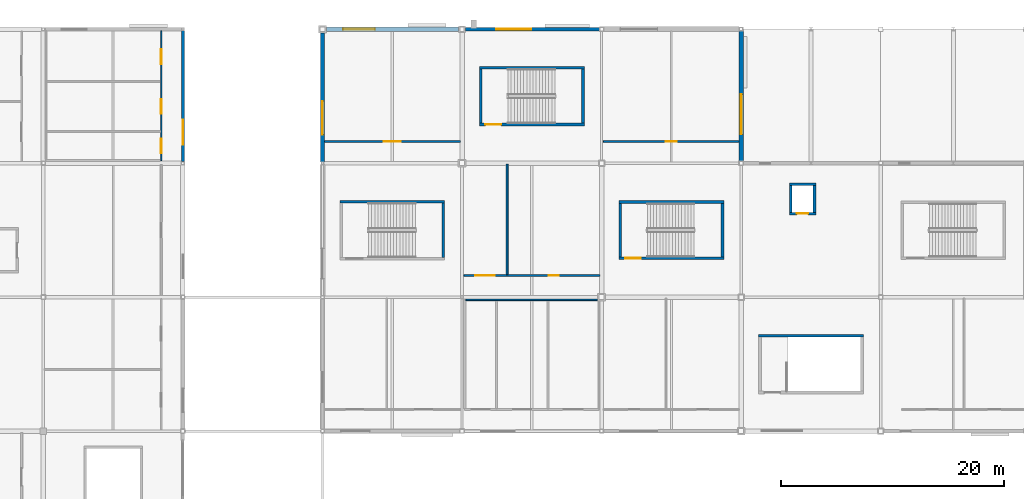
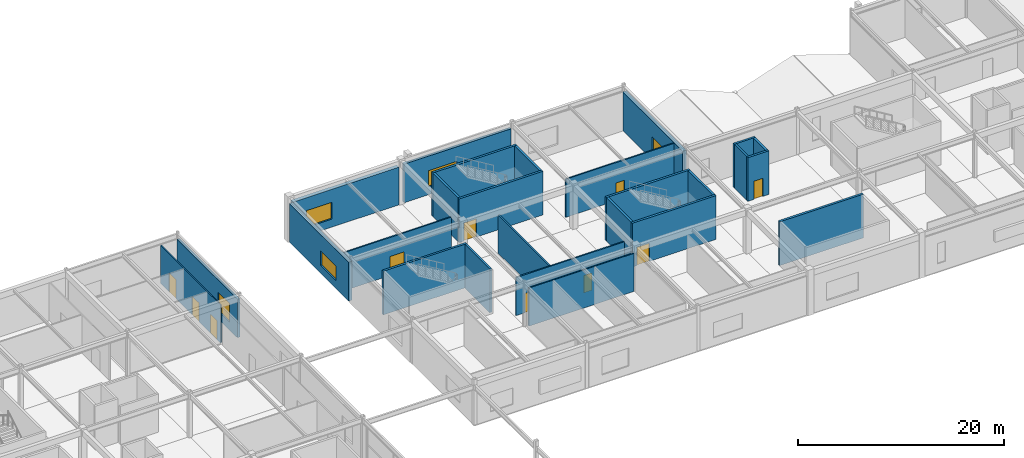
# One storey, part 81 of 105: 26 walls, 10 doors, 5 windows, 15 openings.
"""IFC4 building model written with IfcOpenShell, lengths in metres."""

import ifcopenshell
import ifcopenshell.guid

model = None  # the IFC model being written
_history = None  # IfcOwnerHistory: only IFC2X3 demands one
_inside = {}  # id of a spatial element -> (the spatial element, [elements in it])
_under = {}  # id of a project, library or spatial element -> (it, [spatial elements below it])
_declared = {}  # id of a project -> (the project, [libraries it declares])
_typed = {}  # id of a type object -> (the type object, [elements of that type])
_made_of = {}  # id of a material, layer set ... -> (it, [elements and type objects made of it])


def new_model(schema):
    """Start an empty IFC model of exactly this schema.

    Asked for "IFC4X3", IfcOpenShell would pick the latest addendum, in which some entities
    have other attributes; the version numbers below select the first issue.
    IFC2X3 requires an IfcOwnerHistory on every rooted entity: one is made here for all.
    """
    global model, _history
    if schema == "IFC4X3":
        model = ifcopenshell.file(schema_version=(4, 3, 0, 0))
    else:
        model = ifcopenshell.file(schema=schema)
    _inside.clear()
    _under.clear()
    _declared.clear()
    _typed.clear()
    _made_of.clear()
    _history = None
    if model.schema == "IFC2X3":
        org = make("IfcOrganization", Name="unknown")
        user = make(
            "IfcPersonAndOrganization",
            ThePerson=make("IfcPerson", FamilyName="unknown"),
            TheOrganization=org,
        )
        app = make(
            "IfcApplication",
            ApplicationDeveloper=org,
            Version="unknown",
            ApplicationFullName="unknown",
            ApplicationIdentifier="unknown",
        )
        _history = make(
            "IfcOwnerHistory",
            OwningUser=user,
            OwningApplication=app,
            ChangeAction="ADDED",
            CreationDate=0,
        )
    return model


def make(cls, **values):
    """One entity of the class cls with the attributes given. An attribute that is None is left unset."""
    return model.create_entity(
        cls, **{name: value for name, value in values.items() if value is not None}
    )


def rooted(cls, **values):
    """An entity with a GlobalId (a new one), such as an element, a storey or a relation."""
    return make(cls, GlobalId=ifcopenshell.guid.new(), OwnerHistory=_history, **values)


def si_unit(unit_type, name, prefix=None):
    """IfcSIUnit, for example si_unit("LENGTHUNIT", "METRE", prefix="MILLI")."""
    return make("IfcSIUnit", UnitType=unit_type, Prefix=prefix, Name=name)


def assignment(units):
    """IfcUnitAssignment: the units of a project."""
    return None if units is None else make("IfcUnitAssignment", Units=units)


def point(xyz):
    """IfcCartesianPoint."""
    return None if xyz is None else make("IfcCartesianPoint", Coordinates=xyz)


def direction(xyz):
    """IfcDirection."""
    return None if xyz is None else make("IfcDirection", DirectionRatios=xyz)


def frame(location, z_axis=None, x_axis=None):
    """IfcAxis2Placement3D, a coordinate frame: its origin and axes. An axis left out is left unset."""
    return make(
        "IfcAxis2Placement3D",
        Location=point(location),
        Axis=direction(z_axis),
        RefDirection=direction(x_axis),
    )


def frame_2d(location, x_axis=None):
    """IfcAxis2Placement2D, a coordinate frame in the plane: its origin and x axis."""
    return make(
        "IfcAxis2Placement2D", Location=point(location), RefDirection=direction(x_axis)
    )


def origin():
    """The frame at (0, 0, 0) with its axes left unset."""
    return frame((0.0, 0.0, 0.0))


def place(relative_to, where):
    """IfcLocalPlacement: puts the frame where relative to a parent placement (None: the world)."""
    return make(
        "IfcLocalPlacement", PlacementRelTo=relative_to, RelativePlacement=where
    )


def context(
    kind, dimensions, precision=None, world=None, true_north=None, identifier=None
):
    """IfcGeometricRepresentationContext, for example the 3D "Model" context."""
    return make(
        "IfcGeometricRepresentationContext",
        ContextIdentifier=identifier,
        ContextType=kind,
        CoordinateSpaceDimension=dimensions,
        Precision=precision,
        WorldCoordinateSystem=world,
        TrueNorth=true_north,
    )


def subcontext(parent, identifier, kind, view, scale=None):
    """IfcGeometricRepresentationSubContext, for example "Body" below "Model"."""
    return make(
        "IfcGeometricRepresentationSubContext",
        ContextIdentifier=identifier,
        ContextType=kind,
        ParentContext=parent,
        TargetScale=scale,
        TargetView=view,
    )


def project(units=None, contexts=None):
    """IfcProject with its units and contexts."""
    return rooted(
        "IfcProject",
        Name="project",
        RepresentationContexts=contexts,
        UnitsInContext=assignment(units),
    )


def spatial(cls, under=None, at=None, **own):
    """A site, building, storey or space (cls), placed at a placement, below another one or the project."""
    s = rooted(cls, ObjectPlacement=at, **own)
    if under is not None:
        _under.setdefault(under.id(), (under, []))[1].append(s)
    return s


def profile(cls, at=None, kind="AREA", **sizes):
    """A parametric profile (cls). Its sizes go by their IFC names, for example OverallWidth=200.0."""
    return make(cls, ProfileType=kind, Position=at, **sizes)


def rectangle(**sizes):
    """IfcRectangleProfileDef."""
    return profile("IfcRectangleProfileDef", **sizes)


def extrude(swept, where, along, depth):
    """IfcExtrudedAreaSolid: the profile swept, set in the frame where, extruded along a direction by depth."""
    return make(
        "IfcExtrudedAreaSolid",
        SweptArea=swept,
        Position=where,
        ExtrudedDirection=direction(along),
        Depth=depth,
    )


def shape(context_of_items, identifier, shape_type, items):
    """IfcShapeRepresentation: the items that make up one representation, for example the "Body"."""
    return make(
        "IfcShapeRepresentation",
        ContextOfItems=context_of_items,
        RepresentationIdentifier=identifier,
        RepresentationType=shape_type,
        Items=items,
    )


def material(Name=None, Category=None):
    """IfcMaterial."""
    return make("IfcMaterial", Name=Name, Category=Category)


def layer(
    of_material, thickness, ventilated=None, Name=None, Category=None, Priority=None
):
    """IfcMaterialLayer: one layer of a wall or slab, of a material (None: an air gap)."""
    return make(
        "IfcMaterialLayer",
        Material=of_material,
        LayerThickness=thickness,
        IsVentilated=ventilated,
        Name=Name,
        Category=Category,
        Priority=Priority,
    )


def layer_set(layers, Name=None):
    """IfcMaterialLayerSet."""
    return make("IfcMaterialLayerSet", MaterialLayers=layers, LayerSetName=Name)


def made_of(thing, what):
    """Note that an element or type object is made of a material, layer set ...; save() writes the relation."""
    if what is not None:
        _made_of.setdefault(what.id(), (what, []))[1].append(thing)
    return thing


def type_object(cls, material=None, **own):
    """A type object (cls), such as IfcWallType, which elements share."""
    return made_of(rooted(cls, **own), material)


def element(
    cls,
    number,
    at=None,
    inside=None,
    cuts=None,
    type_object=None,
    material=None,
    context=None,
    identifier="Body",
    shape_type=None,
    held_by="IfcProductDefinitionShape",
    body=None,
    shapes=None,
    **own,
):
    """One element of the class cls, such as IfcWall. Its Tag is "e" and its number.

    at: its placement. inside: the storey or other place that contains it. cuts: it is an
    opening in that element (IfcRelVoidsElement). A single representation is given by context,
    identifier, shape_type and body (its items); several are given by shapes. held_by: the class
    of the entity that holds the representations. save() writes the other relations.
    """
    e = rooted(cls, Tag="e%d" % number, ObjectPlacement=at, **own)
    if body is not None:
        shapes = [shape(context, identifier, shape_type, body)]
    if shapes is not None:
        e.Representation = make(held_by, Representations=shapes)
    if inside is not None:
        _inside.setdefault(inside.id(), (inside, []))[1].append(e)
    if cuts is not None:
        rooted(
            "IfcRelVoidsElement", RelatingBuildingElement=cuts, RelatedOpeningElement=e
        )
    if type_object is not None:
        _typed.setdefault(type_object.id(), (type_object, []))[1].append(e)
    return made_of(e, material)


def fill(opening, filler):
    """IfcRelFillsElement: the door or window that sits in an opening."""
    return rooted(
        "IfcRelFillsElement",
        RelatingOpeningElement=opening,
        RelatedBuildingElement=filler,
    )


def aggregate(whole, parts):
    """IfcRelAggregates: a whole, such as a stair, and the parts it consists of."""
    return rooted("IfcRelAggregates", RelatingObject=whole, RelatedObjects=parts)


def save(model, path):
    """Write the relations noted so far, then the file.

    IfcRelAggregates (storeys below a building ...), IfcRelContainedInSpatialStructure (elements
    in a storey), IfcRelDefinesByType, IfcRelAssociatesMaterial and IfcRelDeclares: one each for
    every whole, place, type object, material and project.
    """
    for whole, parts in _under.values():
        aggregate(whole, parts)
    for where, things in _inside.values():
        rooted(
            "IfcRelContainedInSpatialStructure",
            RelatedElements=things,
            RelatingStructure=where,
        )
    for kind, things in _typed.values():
        rooted("IfcRelDefinesByType", RelatedObjects=things, RelatingType=kind)
    for what, things in _made_of.values():
        rooted("IfcRelAssociatesMaterial", RelatedObjects=things, RelatingMaterial=what)
    for by, libraries in _declared.values():
        rooted("IfcRelDeclares", RelatingContext=by, RelatedDefinitions=libraries)
    model.write(path)


model = new_model("IFC4")

# Units and contexts
model_context = context("Model", 3, precision=1e-05, world=origin(), true_north=direction((0.0, 1.0)))
body_context = subcontext(model_context, "Body", "Model", "MODEL_VIEW")
ifc_project = project(units=[si_unit("LENGTHUNIT", "METRE"), si_unit("AREAUNIT", "SQUARE_METRE"), si_unit("VOLUMEUNIT", "CUBIC_METRE"), si_unit("PLANEANGLEUNIT", "RADIAN"), si_unit("MASSUNIT", "GRAM", prefix="KILO")], contexts=[model_context])

# Site, building, storey
site_placement = place(None, origin())
site = spatial("IfcSite", under=ifc_project, at=site_placement, CompositionType="ELEMENT")
building_placement = place(site_placement, origin())
building = spatial("IfcBuilding", under=site, at=building_placement, Name="Kazenohara Klinker Stadium", CompositionType="ELEMENT")
storey_placement = place(building_placement, frame((0.0, 0.0, 20.39990234375)))
storey = spatial("IfcBuildingStorey", under=building, at=storey_placement, Name="L04", CompositionType="ELEMENT", Elevation=20.39990234375)

# Walls
ifc_material_1 = material(Name="Concrete C40/50", Category="concrete")
ifc_layer_1 = layer(ifc_material_1, 0.22998046875)
ifc_layer_set_1 = layer_set([ifc_layer_1], Name="Concrete C40/50")
wall_type_1 = type_object("IfcWallType", Name="WAL-CORE-230", PredefinedType="SHEAR", material=ifc_layer_set_1)
wall_1_placement = place(storey_placement, frame((50.570068359375, 152.544921875, 0.0), z_axis=(0.0, 0.0, 1.0), x_axis=(1.0, 0.0, 0.0)))
element("IfcWall", 1, at=wall_1_placement, inside=storey, type_object=wall_type_1, Name="Stairwell shear wall ST08 L04 North", PredefinedType="SHEAR", context=body_context, shape_type="SweptSolid", body=[
    extrude(rectangle(XDim=9.35986328125, YDim=0.22998046875, at=frame_2d((4.679931640625, 0.0))), origin(), (0.0, 0.0, 1.0), 5.18017578125),
])
wall_2_placement = place(storey_placement, frame((59.81494140625, 147.570068359375, 0.0), z_axis=(0.0, 0.0, 1.0), x_axis=(0.0, 1.0, 0.0)))
element("IfcWall", 2, at=wall_2_placement, inside=storey, type_object=wall_type_1, Name="Stairwell shear wall ST08 L04 East", PredefinedType="SHEAR", context=body_context, shape_type="SweptSolid", body=[
    extrude(rectangle(XDim=4.85986328125, YDim=0.22998046875, at=frame_2d((2.429931640625, 0.0))), origin(), (0.0, 0.0, 1.0), 5.18017578125),
])

# Wall, opening, door
wall_3_placement = place(storey_placement, frame((90.820068359375, 151.485107421875, 0.0), z_axis=(0.0, 0.0, 1.0), x_axis=(1.0, 0.0, 0.0)))
wall_3 = element("IfcWall", 3, at=wall_3_placement, inside=storey, type_object=wall_type_1, Name="Elevator shaft wall LP04 L04 South", PredefinedType="SHEAR", context=body_context, shape_type="SweptSolid", body=[
    extrude(rectangle(XDim=2.35986328125, YDim=0.22998046875, at=frame_2d((1.179931640625, 0.0))), origin(), (0.0, 0.0, 1.0), 5.18017578125),
])
opening_1_placement = place(wall_3_placement, frame((0.679931640625, 0.0, 0.0)))
opening_1 = element("IfcOpeningElement", 4, at=opening_1_placement, cuts=wall_3, Name="Opening LD02", PredefinedType="OPENING", context=body_context, shape_type="SweptSolid", body=[
    extrude(rectangle(XDim=1.0, YDim=2.14990234375, at=frame_2d((0.5, 1.074951171875))), frame((0.0, 0.125, 0.0), z_axis=(0.0, -1.0, 0.0), x_axis=(1.0, 0.0, 0.0)), (0.0, 0.0, 1.0), 0.25),
])
ifc_material_2 = material(Name="Stainless steel sliding landing door", Category="steel")
door_type_1 = type_object("IfcDoorType", Name="DR-LD02-1000x2150", OperationType="NOTDEFINED", PredefinedType="DOOR", material=ifc_material_2)
door_1_placement = place(opening_1_placement, origin())
door_1 = element("IfcDoor", 5, at=door_1_placement, inside=storey, type_object=door_type_1, Name="Elevator sliding landing door LP04-L04", OperationType="DOUBLE_DOOR_SLIDING", OverallHeight=2.14990234375, OverallWidth=1.0, PredefinedType="DOOR", context=body_context, shape_type="SweptSolid", body=[
    extrude(rectangle(XDim=1.0, YDim=2.14990234375, at=frame_2d((0.5, 1.074951171875))), frame((0.0, 0.02490234375, 0.0), z_axis=(0.0, -1.0, 0.0), x_axis=(1.0, 0.0, 0.0)), (0.0, 0.0, 1.0), 0.050048828125),
])
fill(opening_1, door_1)

# Walls
wall_4_placement = place(storey_placement, frame((90.820068359375, 154.114990234375, 0.0), z_axis=(0.0, 0.0, 1.0), x_axis=(1.0, 0.0, 0.0)))
element("IfcWall", 6, at=wall_4_placement, inside=storey, type_object=wall_type_1, Name="Elevator shaft wall LP04 L04 North", PredefinedType="SHEAR", context=body_context, shape_type="SweptSolid", body=[
    extrude(rectangle(XDim=2.35986328125, YDim=0.22998046875, at=frame_2d((1.179931640625, 0.0))), origin(), (0.0, 0.0, 1.0), 5.18017578125),
])
for number, where, z_axis, x_axis, name in (
    (7, (90.93505859375, 151.60009765625, 0.0), (0.0, 0.0, 1.0), (0.0, 1.0, 0.0), "Elevator shaft wall LP04 L04 West"),
    (8, (93.06494140625, 151.60009765625, 0.0), (0.0, 0.0, 1.0), (0.0, 1.0, 0.0), "Elevator shaft wall LP04 L04 East"),
):
    element("IfcWall", number, at=place(storey_placement, frame(where, z_axis=z_axis, x_axis=x_axis)), inside=storey, type_object=wall_type_1, Name=name, PredefinedType="SHEAR", context=body_context, shape_type="SweptSolid", body=[
        extrude(rectangle(XDim=2.39990234375, YDim=0.22998046875, at=frame_2d((1.199951171875, 0.0))), origin(), (0.0, 0.0, 1.0), 5.18017578125),
    ])

# Wall, opening, door
ifc_layer_2 = layer(ifc_material_1, 0.25)
ifc_layer_set_2 = layer_set([ifc_layer_2], Name="Concrete C40/50")
wall_type_2 = type_object("IfcWallType", Name="WAL-CORE-250", PredefinedType="SHEAR", material=ifc_layer_set_2)
wall_5_placement = place(storey_placement, frame((75.550048828125, 147.485107421875, 0.0), z_axis=(0.0, 0.0, 1.0), x_axis=(1.0, 0.0, 0.0)))
wall_5 = element("IfcWall", 9, at=wall_5_placement, inside=storey, type_object=wall_type_2, Name="Stairwell shear wall ST09 L04 South", PredefinedType="SHEAR", context=body_context, shape_type="SweptSolid", body=[
    extrude(rectangle(XDim=9.39990234375, YDim=0.25, at=frame_2d((4.699951171875, 0.0))), origin(), (0.0, 0.0, 1.0), 5.18017578125),
])
opening_2_placement = place(wall_5_placement, frame((0.550048828125, 0.0, 0.0)))
opening_2 = element("IfcOpeningElement", 10, at=opening_2_placement, cuts=wall_5, Name="Opening SD01", PredefinedType="OPENING", context=body_context, shape_type="SweptSolid", body=[
    extrude(rectangle(XDim=1.39990234375, YDim=2.14990234375, at=frame_2d((0.699951171875, 1.074951171875))), frame((0.0, 0.135009765625, 0.0), z_axis=(0.0, -1.0, 0.0), x_axis=(1.0, 0.0, 0.0)), (0.0, 0.0, 1.0), 0.27001953125),
])
ifc_material_3 = material(Name="Flush painted steel fire door leaf", Category="steel")
door_type_2 = type_object("IfcDoorType", Name="DR-STR-1400x2150", OperationType="NOTDEFINED", PredefinedType="DOOR", material=ifc_material_3)
door_2_placement = place(opening_2_placement, origin())
door_2 = element("IfcDoor", 11, at=door_2_placement, inside=storey, type_object=door_type_2, Name="Escape stairwell fire door ST09-L04", OperationType="SINGLE_SWING_RIGHT", OverallHeight=2.14990234375, OverallWidth=1.39990234375, PredefinedType="DOOR", context=body_context, shape_type="SweptSolid", body=[
    extrude(rectangle(XDim=1.39990234375, YDim=2.14990234375, at=frame_2d((0.699951171875, 1.074951171875))), frame((0.0, 0.02490234375, 0.0), z_axis=(0.0, -1.0, 0.0), x_axis=(1.0, 0.0, 0.0)), (0.0, 0.0, 1.0), 0.050048828125),
])
fill(opening_2, door_2)

# Walls
wall_6_placement = place(storey_placement, frame((75.550048828125, 152.514892578125, 0.0), z_axis=(0.0, 0.0, 1.0), x_axis=(1.0, 0.0, 0.0)))
element("IfcWall", 12, at=wall_6_placement, inside=storey, type_object=wall_type_2, Name="Stairwell shear wall ST09 L04 North", PredefinedType="SHEAR", context=body_context, shape_type="SweptSolid", body=[
    extrude(rectangle(XDim=9.39990234375, YDim=0.25, at=frame_2d((4.699951171875, 0.0))), origin(), (0.0, 0.0, 1.0), 5.18017578125),
])
for number, where, z_axis, x_axis, name in (
    (13, (75.675048828125, 147.610107421875, 0.0), (0.0, 0.0, 1.0), (0.0, 1.0, 0.0), "Stairwell shear wall ST09 L04 West"),
    (14, (84.824951171875, 147.610107421875, 0.0), (0.0, 0.0, 1.0), (0.0, 1.0, 0.0), "Stairwell shear wall ST09 L04 East"),
):
    element("IfcWall", number, at=place(storey_placement, frame(where, z_axis=z_axis, x_axis=x_axis)), inside=storey, type_object=wall_type_2, Name=name, PredefinedType="SHEAR", context=body_context, shape_type="SweptSolid", body=[
        extrude(rectangle(XDim=4.77978515625, YDim=0.25, at=frame_2d((2.389892578125, 0.0))), origin(), (0.0, 0.0, 1.0), 5.18017578125),
    ])

# Wall, opening, door
wall_7_placement = place(storey_placement, frame((63.050048828125, 159.455078125, 0.0), z_axis=(0.0, 0.0, 1.0), x_axis=(1.0, 0.0, 0.0)))
wall_7 = element("IfcWall", 15, at=wall_7_placement, inside=storey, type_object=wall_type_2, Name="Stairwell shear wall ST15 L04 South", PredefinedType="SHEAR", context=body_context, shape_type="SweptSolid", body=[
    extrude(rectangle(XDim=9.39990234375, YDim=0.25, at=frame_2d((4.699951171875, 0.0))), origin(), (0.0, 0.0, 1.0), 5.18017578125),
])
opening_3_placement = place(wall_7_placement, frame((0.550048828125, 0.0, 0.0)))
opening_3 = element("IfcOpeningElement", 16, at=opening_3_placement, cuts=wall_7, Name="Opening SD01", PredefinedType="OPENING", context=body_context, shape_type="SweptSolid", body=[
    extrude(rectangle(XDim=1.39990234375, YDim=2.14990234375, at=frame_2d((0.699951171875, 1.074951171875))), frame((0.0, 0.135009765625, 0.0), z_axis=(0.0, -1.0, 0.0), x_axis=(1.0, 0.0, 0.0)), (0.0, 0.0, 1.0), 0.27001953125),
])
door_3_placement = place(opening_3_placement, origin())
door_3 = element("IfcDoor", 17, at=door_3_placement, inside=storey, type_object=door_type_2, Name="Escape stairwell fire door ST15-L04", OperationType="SINGLE_SWING_LEFT", OverallHeight=2.14990234375, OverallWidth=1.39990234375, PredefinedType="DOOR", context=body_context, shape_type="SweptSolid", body=[
    extrude(rectangle(XDim=1.39990234375, YDim=2.14990234375, at=frame_2d((0.699951171875, 1.074951171875))), frame((0.0, 0.02490234375, 0.0), z_axis=(0.0, -1.0, 0.0), x_axis=(1.0, 0.0, 0.0)), (0.0, 0.0, 1.0), 0.050048828125),
])
fill(opening_3, door_3)

# Walls
wall_8_placement = place(storey_placement, frame((63.050048828125, 164.544921875, 0.0), z_axis=(0.0, 0.0, 1.0), x_axis=(1.0, 0.0, 0.0)))
element("IfcWall", 18, at=wall_8_placement, inside=storey, type_object=wall_type_2, Name="Stairwell shear wall ST15 L04 North", PredefinedType="SHEAR", context=body_context, shape_type="SweptSolid", body=[
    extrude(rectangle(XDim=9.39990234375, YDim=0.25, at=frame_2d((4.699951171875, 0.0))), origin(), (0.0, 0.0, 1.0), 5.18017578125),
])
for number, where, z_axis, x_axis, name in (
    (19, (63.175048828125, 159.580078125, 0.0), (0.0, 0.0, 1.0), (0.0, 1.0, 0.0), "Stairwell shear wall ST15 L04 West"),
    (20, (72.324951171875, 159.580078125, 0.0), (0.0, 0.0, 1.0), (0.0, 1.0, 0.0), "Stairwell shear wall ST15 L04 East"),
):
    element("IfcWall", number, at=place(storey_placement, frame(where, z_axis=z_axis, x_axis=x_axis)), inside=storey, type_object=wall_type_2, Name=name, PredefinedType="SHEAR", context=body_context, shape_type="SweptSolid", body=[
        extrude(rectangle(XDim=4.83984375, YDim=0.25, at=frame_2d((2.419921875, 0.0))), origin(), (0.0, 0.0, 1.0), 5.18017578125),
    ])
wall_9_placement = place(storey_placement, frame((88.050048828125, 140.544921875, 0.0), z_axis=(0.0, 0.0, 1.0), x_axis=(1.0, 0.0, 0.0)))
element("IfcWall", 21, at=wall_9_placement, inside=storey, type_object=wall_type_2, Name="Stairwell shear wall ST19 L04 North", PredefinedType="SHEAR", context=body_context, shape_type="SweptSolid", body=[
    extrude(rectangle(XDim=9.39990234375, YDim=0.25, at=frame_2d((4.699951171875, 0.0))), origin(), (0.0, 0.0, 1.0), 5.18017578125),
])

# Wall, opening, window
ifc_material_4 = material(Name="Clinker brick masonry", Category="masonry")
ifc_layer_3 = layer(ifc_material_4, 0.280029296875)
ifc_layer_set_3 = layer_set([ifc_layer_3], Name="Clinker brick masonry")
wall_type_3 = type_object("IfcWallType", Name="WAL-EXT-CB280", PredefinedType="SOLIDWALL", material=ifc_layer_set_3)
wall_10_placement = place(storey_placement, frame((36.5, 156.154052734375, 0.0), z_axis=(0.0, 0.0, 1.0), x_axis=(0.0, 1.0, 0.0)))
wall_10 = element("IfcWall", 22, at=wall_10_placement, inside=storey, type_object=wall_type_3, Name="Clinker brick cavity wall EW06 L04 Y3-13", PredefinedType="SOLIDWALL", context=body_context, shape_type="SweptSolid", body=[
    extrude(rectangle(XDim=11.717041015625, YDim=0.280029296875, at=frame_2d((5.8583984375, 0.0))), origin(), (0.0, 0.0, 1.0), 4.580078125),
])
opening_4_placement = place(wall_10_placement, frame((1.5, 0.0, 0.949951171875)))
opening_4 = element("IfcOpeningElement", 23, at=opening_4_placement, cuts=wall_10, Name="Opening W22", PredefinedType="OPENING", context=body_context, shape_type="SweptSolid", body=[
    extrude(rectangle(XDim=2.25, YDim=2.199951171875, at=frame_2d((1.125, 1.10009765625))), frame((0.0, 0.14990234375, 0.0), z_axis=(0.0, -1.0, 0.0), x_axis=(1.0, 0.0, 0.0)), (0.0, 0.0, 1.0), 0.300048828125),
])
ifc_material_5 = material(Name="Dark bronze aluminium frame and triple glazing", Category="aluminium")
window_type_1 = type_object("IfcWindowType", Name="WIN-AS-22", PartitioningType="SINGLE_PANEL", PredefinedType="WINDOW", material=ifc_material_5)
window_1_placement = place(opening_4_placement, origin())
window_1 = element("IfcWindow", 24, at=window_1_placement, inside=storey, type_object=window_type_1, Name="Horizontal-mullion ladder window W22 L04 Y3-13", OverallHeight=2.199951171875, OverallWidth=2.25, PartitioningType="SINGLE_PANEL", PredefinedType="WINDOW", context=body_context, shape_type="SweptSolid", body=[
    extrude(rectangle(XDim=2.25, YDim=2.199951171875, at=frame_2d((1.125, 1.10009765625))), frame((0.0, 0.030029296875, 0.0), z_axis=(0.0, -1.0, 0.0), x_axis=(1.0, 0.0, 0.0)), (0.0, 0.0, 1.0), 0.06005859375),
])
fill(opening_4, window_1)

ifc_layer_4 = layer(ifc_material_4, 0.31005859375)
ifc_layer_set_4 = layer_set([ifc_layer_4], Name="Clinker brick masonry")
wall_type_4 = type_object("IfcWallType", Name="WAL-EXT-CB310", PredefinedType="SOLIDWALL", material=ifc_layer_set_4)
wall_11_placement = place(storey_placement, frame((61.803955078125, 168.0, 0.0), z_axis=(0.0, 0.0, 1.0), x_axis=(1.0, 0.0, 0.0)))
wall_11 = element("IfcWall", 25, at=wall_11_placement, inside=storey, type_object=wall_type_4, Name="Clinker brick cavity wall EW05 L04 X5-14", PredefinedType="SOLIDWALL", context=body_context, shape_type="SweptSolid", body=[
    extrude(rectangle(XDim=11.991943359375, YDim=0.31005859375, at=frame_2d((5.99609375, 0.0))), origin(), (0.0, 0.0, 1.0), 4.580078125),
])
opening_5_placement = place(wall_11_placement, frame((2.75, 0.0, 0.949951171875)))
opening_5 = element("IfcOpeningElement", 26, at=opening_5_placement, cuts=wall_11, Name="Opening W32", PredefinedType="OPENING", context=body_context, shape_type="SweptSolid", body=[
    extrude(rectangle(XDim=3.14990234375, YDim=1.89990234375, at=frame_2d((1.574951171875, 0.949951171875))), frame((0.0, 0.1650390625, 0.0), z_axis=(0.0, -1.0, 0.0), x_axis=(1.0, 0.0, 0.0)), (0.0, 0.0, 1.0), 0.330078125),
])
window_type_2 = type_object("IfcWindowType", Name="WIN-AS-32", PartitioningType="SINGLE_PANEL", PredefinedType="WINDOW", material=ifc_material_5)
window_2_placement = place(opening_5_placement, origin())
window_2 = element("IfcWindow", 27, at=window_2_placement, inside=storey, type_object=window_type_2, Name="Horizontal-mullion ladder window W32 L04 X5-14", OverallHeight=1.89990234375, OverallWidth=3.14990234375, PartitioningType="SINGLE_PANEL", PredefinedType="WINDOW", context=body_context, shape_type="SweptSolid", body=[
    extrude(rectangle(XDim=3.14990234375, YDim=1.89990234375, at=frame_2d((1.574951171875, 0.949951171875))), frame((0.0, 0.030029296875, 0.0), z_axis=(0.0, -1.0, 0.0), x_axis=(1.0, 0.0, 0.0)), (0.0, 0.0, 1.0), 0.06005859375),
])
fill(opening_5, window_2)

ifc_layer_5 = layer(ifc_material_4, 0.3701171875)
ifc_layer_set_5 = layer_set([ifc_layer_5], Name="Clinker brick masonry")
wall_type_5 = type_object("IfcWallType", Name="WAL-EXT-CB370", PredefinedType="SOLIDWALL", material=ifc_layer_set_5)
wall_12_placement = place(storey_placement, frame((49.0, 156.12890625, 0.0), z_axis=(0.0, 0.0, 1.0), x_axis=(0.0, 1.0, 0.0)))
wall_12 = element("IfcWall", 28, at=wall_12_placement, inside=storey, type_object=wall_type_5, Name="Clinker brick cavity wall EW03 L04 Y4-13", PredefinedType="SOLIDWALL", context=body_context, shape_type="SweptSolid", body=[
    extrude(rectangle(XDim=11.51708984375, YDim=0.3701171875, at=frame_2d((5.758544921875, 0.0))), origin(), (0.0, 0.0, 1.0), 4.592041015625),
])
opening_6_placement = place(wall_12_placement, frame((2.44091796875, 0.0, 0.949951171875)))
opening_6 = element("IfcOpeningElement", 29, at=opening_6_placement, cuts=wall_12, Name="Opening W30", PredefinedType="OPENING", context=body_context, shape_type="SweptSolid", body=[
    extrude(rectangle(XDim=3.0, YDim=1.699951171875, at=frame_2d((1.5, 0.85009765625))), frame((0.0, 0.195068359375, 0.0), z_axis=(0.0, -1.0, 0.0), x_axis=(1.0, 0.0, 0.0)), (0.0, 0.0, 1.0), 0.39013671875),
])
window_type_3 = type_object("IfcWindowType", Name="WIN-AS-30", PartitioningType="SINGLE_PANEL", PredefinedType="WINDOW", material=ifc_material_5)
window_3_placement = place(opening_6_placement, origin())
window_3 = element("IfcWindow", 30, at=window_3_placement, inside=storey, type_object=window_type_3, Name="Horizontal-mullion ladder window W30 L04 Y4-13", OverallHeight=1.699951171875, OverallWidth=3.0, PartitioningType="SINGLE_PANEL", PredefinedType="WINDOW", context=body_context, shape_type="SweptSolid", body=[
    extrude(rectangle(XDim=3.0, YDim=1.699951171875, at=frame_2d((1.5, 0.85009765625))), frame((0.0, 0.030029296875, 0.0), z_axis=(0.0, -1.0, 0.0), x_axis=(1.0, 0.0, 0.0)), (0.0, 0.0, 1.0), 0.06005859375),
])
fill(opening_6, window_3)

ifc_layer_6 = layer(ifc_material_4, 0.409912109375)
ifc_layer_set_6 = layer_set([ifc_layer_6], Name="Clinker brick masonry")
wall_type_6 = type_object("IfcWallType", Name="WAL-EXT-CB410", PredefinedType="SOLIDWALL", material=ifc_layer_set_6)
wall_13_placement = place(storey_placement, frame((49.35400390625, 168.0, 0.0), z_axis=(0.0, 0.0, 1.0), x_axis=(1.0, 0.0, 0.0)))
wall_13 = element("IfcWall", 31, at=wall_13_placement, inside=storey, type_object=wall_type_6, Name="Clinker brick cavity wall EW02 L04 X4-14", PredefinedType="SOLIDWALL", context=body_context, shape_type="SweptSolid", body=[
    extrude(rectangle(XDim=11.842041015625, YDim=0.409912109375, at=frame_2d((5.9208984375, 0.0))), origin(), (0.0, 0.0, 1.0), 4.47998046875),
])
opening_7_placement = place(wall_13_placement, frame((1.5, 0.0, 0.949951171875)))
opening_7 = element("IfcOpeningElement", 32, at=opening_7_placement, cuts=wall_13, Name="Opening W29", PredefinedType="OPENING", context=body_context, shape_type="SweptSolid", body=[
    extrude(rectangle(XDim=2.85009765625, YDim=2.0, at=frame_2d((1.425048828125, 1.0))), frame((0.0, 0.21484375, 0.0), z_axis=(0.0, -1.0, 0.0), x_axis=(1.0, 0.0, 0.0)), (0.0, 0.0, 1.0), 0.429931640625),
])
window_type_4 = type_object("IfcWindowType", Name="WIN-AS-29", PartitioningType="SINGLE_PANEL", PredefinedType="WINDOW", material=ifc_material_5)
window_4_placement = place(opening_7_placement, origin())
window_4 = element("IfcWindow", 33, at=window_4_placement, inside=storey, type_object=window_type_4, Name="Horizontal-mullion ladder window W29 L04 X4-14", OverallHeight=2.0, OverallWidth=2.85009765625, PartitioningType="SINGLE_PANEL", PredefinedType="WINDOW", context=body_context, shape_type="SweptSolid", body=[
    extrude(rectangle(XDim=2.85009765625, YDim=2.0, at=frame_2d((1.425048828125, 1.0))), frame((0.0, 0.030029296875, 0.0), z_axis=(0.0, -1.0, 0.0), x_axis=(1.0, 0.0, 0.0)), (0.0, 0.0, 1.0), 0.06005859375),
])
fill(opening_7, window_4)

wall_14_placement = place(storey_placement, frame((86.5, 156.2041015625, 0.0), z_axis=(0.0, 0.0, 1.0), x_axis=(0.0, 1.0, 0.0)))
wall_14 = element("IfcWall", 34, at=wall_14_placement, inside=storey, type_object=wall_type_6, Name="Clinker brick cavity wall EW02 L04 Y7-13", PredefinedType="SOLIDWALL", context=body_context, shape_type="SweptSolid", body=[
    extrude(rectangle(XDim=11.616943359375, YDim=0.409912109375, at=frame_2d((5.80859375, 0.0))), origin(), (0.0, 0.0, 1.0), 4.592041015625),
])
opening_8_placement = place(wall_14_placement, frame((2.365966796875, 0.0, 0.949951171875)))
opening_8 = element("IfcOpeningElement", 35, at=opening_8_placement, cuts=wall_14, Name="Opening W35", PredefinedType="OPENING", context=body_context, shape_type="SweptSolid", body=[
    extrude(rectangle(XDim=3.60009765625, YDim=1.75, at=frame_2d((1.800048828125, 0.875))), frame((0.0, 0.21484375, 0.0), z_axis=(0.0, -1.0, 0.0), x_axis=(1.0, 0.0, 0.0)), (0.0, 0.0, 1.0), 0.429931640625),
])
window_type_5 = type_object("IfcWindowType", Name="WIN-AS-35", PartitioningType="SINGLE_PANEL", PredefinedType="WINDOW", material=ifc_material_5)
window_5_placement = place(opening_8_placement, origin())
window_5 = element("IfcWindow", 36, at=window_5_placement, inside=storey, type_object=window_type_5, Name="Horizontal-mullion ladder window W35 L04 Y7-13", OverallHeight=1.75, OverallWidth=3.60009765625, PartitioningType="SINGLE_PANEL", PredefinedType="WINDOW", context=body_context, shape_type="SweptSolid", body=[
    extrude(rectangle(XDim=3.60009765625, YDim=1.75, at=frame_2d((1.800048828125, 0.875))), frame((0.0, 0.030029296875, 0.0), z_axis=(0.0, -1.0, 0.0), x_axis=(1.0, 0.0, 0.0)), (0.0, 0.0, 1.0), 0.06005859375),
])
fill(opening_8, window_5)

# Wall, openings, doors
ifc_material_6 = material(Name="Fire-rated gypsum board on acoustic studs", Category="gypsum")
ifc_layer_7 = layer(ifc_material_6, 0.1201171875)
ifc_layer_set_7 = layer_set([ifc_layer_7], Name="Fire-rated gypsum board on acoustic studs")
wall_type_7 = type_object("IfcWallType", Name="WAL-INT-P120", PredefinedType="PARTITIONING", material=ifc_layer_set_7)
wall_15_placement = place(storey_placement, frame((34.56005859375, 156.239990234375, 0.0), z_axis=(0.0, 0.0, 1.0), x_axis=(0.0, 1.0, 0.0)))
wall_15 = element("IfcWall", 37, at=wall_15_placement, inside=storey, type_object=wall_type_7, Name="Interior partition wall PT02 SPC-L04-02-13-1-3", PredefinedType="PARTITIONING", context=body_context, shape_type="SweptSolid", body=[
    extrude(rectangle(XDim=11.60302734375, YDim=0.1201171875, at=frame_2d((5.801513671875, 0.0))), origin(), (0.0, 0.0, 1.0), 4.52001953125),
])
opening_9_placement = place(wall_15_placement, frame((0.6552734375, 0.0, 0.0)))
opening_9 = element("IfcOpeningElement", 38, at=opening_9_placement, cuts=wall_15, Name="Opening ID15", PredefinedType="OPENING", context=body_context, shape_type="SweptSolid", body=[
    extrude(rectangle(XDim=1.300048828125, YDim=2.239990234375, at=frame_2d((0.64990234375, 1.1201171875))), frame((0.0, 0.070068359375, 0.0), z_axis=(0.0, -1.0, 0.0), x_axis=(1.0, 0.0, 0.0)), (0.0, 0.0, 1.0), 0.14013671875),
])
opening_10_placement = place(wall_15_placement, frame((4.1728515625, 0.0, 0.0)))
opening_10 = element("IfcOpeningElement", 39, at=opening_10_placement, cuts=wall_15, Name="Opening ID16", PredefinedType="OPENING", context=body_context, shape_type="SweptSolid", body=[
    extrude(rectangle(XDim=1.330078125, YDim=2.219970703125, at=frame_2d((0.6650390625, 1.10986328125))), frame((0.0, 0.070068359375, 0.0), z_axis=(0.0, -1.0, 0.0), x_axis=(1.0, 0.0, 0.0)), (0.0, 0.0, 1.0), 0.14013671875),
])
opening_11_placement = place(wall_15_placement, frame((8.612548828125, 0.0, 0.0)))
opening_11 = element("IfcOpeningElement", 40, at=opening_11_placement, cuts=wall_15, Name="Opening ID17", PredefinedType="OPENING", context=body_context, shape_type="SweptSolid", body=[
    extrude(rectangle(XDim=1.360107421875, YDim=2.25, at=frame_2d((0.68017578125, 1.125))), frame((0.0, 0.070068359375, 0.0), z_axis=(0.0, -1.0, 0.0), x_axis=(1.0, 0.0, 0.0)), (0.0, 0.0, 1.0), 0.14013671875),
])
ifc_material_7 = material(Name="Solid-core Hokkaido oak fire door", Category="wood")
door_type_3 = type_object("IfcDoorType", Name="DR-INT-15", OperationType="NOTDEFINED", PredefinedType="DOOR", material=ifc_material_7)
door_4_placement = place(opening_9_placement, origin())
door_4 = element("IfcDoor", 41, at=door_4_placement, inside=storey, type_object=door_type_3, Name="Interior door ID15 Accessible Water Closet Restroom L04-0213A", OperationType="SINGLE_SWING_RIGHT", OverallHeight=2.239990234375, OverallWidth=1.300048828125, PredefinedType="DOOR", context=body_context, shape_type="SweptSolid", body=[
    extrude(rectangle(XDim=1.300048828125, YDim=2.239990234375, at=frame_2d((0.64990234375, 1.1201171875))), frame((0.0, 0.02490234375, 0.0), z_axis=(0.0, -1.0, 0.0), x_axis=(1.0, 0.0, 0.0)), (0.0, 0.0, 1.0), 0.050048828125),
])
fill(opening_9, door_4)
door_type_4 = type_object("IfcDoorType", Name="DR-INT-16", OperationType="NOTDEFINED", PredefinedType="DOOR", material=ifc_material_7)
door_5_placement = place(opening_10_placement, origin())
door_5 = element("IfcDoor", 42, at=door_5_placement, inside=storey, type_object=door_type_4, Name="Interior door ID16 Water Closet Restroom Male L04-0213B", OperationType="SINGLE_SWING_LEFT", OverallHeight=2.219970703125, OverallWidth=1.330078125, PredefinedType="DOOR", context=body_context, shape_type="SweptSolid", body=[
    extrude(rectangle(XDim=1.330078125, YDim=2.219970703125, at=frame_2d((0.6650390625, 1.10986328125))), frame((0.0, 0.02490234375, 0.0), z_axis=(0.0, -1.0, 0.0), x_axis=(1.0, 0.0, 0.0)), (0.0, 0.0, 1.0), 0.050048828125),
])
fill(opening_10, door_5)
door_type_5 = type_object("IfcDoorType", Name="DR-INT-17", OperationType="NOTDEFINED", PredefinedType="DOOR", material=ifc_material_7)
door_6_placement = place(opening_11_placement, origin())
door_6 = element("IfcDoor", 43, at=door_6_placement, inside=storey, type_object=door_type_5, Name="Interior door ID17 Water Closet Restroom Female L04-0213C", OperationType="SINGLE_SWING_RIGHT", OverallHeight=2.25, OverallWidth=1.360107421875, PredefinedType="DOOR", context=body_context, shape_type="SweptSolid", body=[
    extrude(rectangle(XDim=1.360107421875, YDim=2.25, at=frame_2d((0.68017578125, 1.125))), frame((0.0, 0.02490234375, 0.0), z_axis=(0.0, -1.0, 0.0), x_axis=(1.0, 0.0, 0.0)), (0.0, 0.0, 1.0), 0.050048828125),
])
fill(opening_11, door_6)

# Wall
wall_16_placement = place(storey_placement, frame((61.840087890625, 143.760009765625, 0.0), z_axis=(0.0, 0.0, 1.0), x_axis=(1.0, 0.0, 0.0)))
element("IfcWall", 44, at=wall_16_placement, inside=storey, type_object=wall_type_7, Name="Interior partition wall PT02 SPC-L04-05-11-1-3", PredefinedType="PARTITIONING", context=body_context, shape_type="SweptSolid", body=[
    extrude(rectangle(XDim=11.805908203125, YDim=0.1201171875, at=frame_2d((5.90283203125, 0.0))), origin(), (0.0, 0.0, 1.0), 4.52001953125),
])

# Wall, opening, door
ifc_layer_8 = layer(ifc_material_6, 0.14990234375)
ifc_layer_set_8 = layer_set([ifc_layer_8], Name="Fire-rated gypsum board on acoustic studs")
wall_type_8 = type_object("IfcWallType", Name="WAL-INT-P150", PredefinedType="PARTITIONING", material=ifc_layer_set_8)
wall_17_placement = place(storey_placement, frame((49.18701171875, 157.93994140625, 0.0), z_axis=(0.0, 0.0, 1.0), x_axis=(1.0, 0.0, 0.0)))
wall_17 = element("IfcWall", 45, at=wall_17_placement, inside=storey, type_object=wall_type_8, Name="Interior partition wall PT04 SPC-L04-04-13-1-1", PredefinedType="PARTITIONING", context=body_context, shape_type="SweptSolid", body=[
    extrude(rectangle(XDim=12.153076171875, YDim=0.14990234375, at=frame_2d((6.07666015625, 0.0))), origin(), (0.0, 0.0, 1.0), 4.52001953125),
])
opening_12_placement = place(wall_17_placement, frame((5.282958984375, 0.0, 0.0)))
opening_12 = element("IfcOpeningElement", 46, at=opening_12_placement, cuts=wall_17, Name="Opening ID22", PredefinedType="OPENING", context=body_context, shape_type="SweptSolid", body=[
    extrude(rectangle(XDim=1.56005859375, YDim=2.260009765625, at=frame_2d((0.780029296875, 1.1298828125))), frame((0.0, 0.0849609375, 0.0), z_axis=(0.0, -1.0, 0.0), x_axis=(1.0, 0.0, 0.0)), (0.0, 0.0, 1.0), 0.169921875),
])
ifc_material_8 = material(Name="Painted steel plant fire door", Category="steel")
door_type_6 = type_object("IfcDoorType", Name="DR-INT-22", OperationType="NOTDEFINED", PredefinedType="DOOR", material=ifc_material_8)
door_7_placement = place(opening_12_placement, origin())
door_7 = element("IfcDoor", 47, at=door_7_placement, inside=storey, type_object=door_type_6, Name="Interior door ID22 Championship Trophy Exhibition Gallery L04-0413A", OperationType="SINGLE_SWING_LEFT", OverallHeight=2.260009765625, OverallWidth=1.56005859375, PredefinedType="DOOR", context=body_context, shape_type="SweptSolid", body=[
    extrude(rectangle(XDim=1.56005859375, YDim=2.260009765625, at=frame_2d((0.780029296875, 1.1298828125))), frame((0.0, 0.02490234375, 0.0), z_axis=(0.0, -1.0, 0.0), x_axis=(1.0, 0.0, 0.0)), (0.0, 0.0, 1.0), 0.050048828125),
])
fill(opening_12, door_7)

# Wall, openings, doors
wall_18_placement = place(storey_placement, frame((61.659912109375, 145.93994140625, 0.0), z_axis=(0.0, 0.0, 1.0), x_axis=(1.0, 0.0, 0.0)))
wall_18 = element("IfcWall", 48, at=wall_18_placement, inside=storey, type_object=wall_type_8, Name="Interior partition wall PT04 SPC-L04-05-12-1-1", PredefinedType="PARTITIONING", context=body_context, shape_type="SweptSolid", body=[
    extrude(rectangle(XDim=12.18017578125, YDim=0.14990234375, at=frame_2d((6.090087890625, 0.0))), origin(), (0.0, 0.0, 1.0), 4.52001953125),
])
opening_13_placement = place(wall_18_placement, frame((1.0166015625, 0.0, 0.0)))
opening_13 = element("IfcOpeningElement", 49, at=opening_13_placement, cuts=wall_18, Name="Opening ID26", PredefinedType="OPENING", context=body_context, shape_type="SweptSolid", body=[
    extrude(rectangle(XDim=1.760009765625, YDim=2.300048828125, at=frame_2d((0.8798828125, 1.14990234375))), frame((0.0, 0.0849609375, 0.0), z_axis=(0.0, -1.0, 0.0), x_axis=(1.0, 0.0, 0.0)), (0.0, 0.0, 1.0), 0.169921875),
])
opening_14_placement = place(wall_18_placement, frame((7.61669921875, 0.0, 0.0)))
opening_14 = element("IfcOpeningElement", 50, at=opening_14_placement, cuts=wall_18, Name="Opening ID01", PredefinedType="OPENING", context=body_context, shape_type="SweptSolid", body=[
    extrude(rectangle(XDim=0.89990234375, YDim=2.06005859375, at=frame_2d((0.449951171875, 1.030029296875))), frame((0.0, 0.0849609375, 0.0), z_axis=(0.0, -1.0, 0.0), x_axis=(1.0, 0.0, 0.0)), (0.0, 0.0, 1.0), 0.169921875),
])
door_type_7 = type_object("IfcDoorType", Name="DR-INT-01", OperationType="NOTDEFINED", PredefinedType="DOOR", material=ifc_material_7)
door_8_placement = place(opening_14_placement, origin())
door_8 = element("IfcDoor", 51, at=door_8_placement, inside=storey, type_object=door_type_7, Name="Interior door ID01 Roof Garden Culinary Catering Kitchen L04-0512B", OperationType="SINGLE_SWING_RIGHT", OverallHeight=2.06005859375, OverallWidth=0.89990234375, PredefinedType="DOOR", context=body_context, shape_type="SweptSolid", body=[
    extrude(rectangle(XDim=0.89990234375, YDim=2.06005859375, at=frame_2d((0.449951171875, 1.030029296875))), frame((0.0, 0.02490234375, 0.0), z_axis=(0.0, -1.0, 0.0), x_axis=(1.0, 0.0, 0.0)), (0.0, 0.0, 1.0), 0.050048828125),
])
fill(opening_14, door_8)
door_type_8 = type_object("IfcDoorType", Name="DR-INT-26", OperationType="NOTDEFINED", PredefinedType="DOOR", material=ifc_material_8)
door_9_placement = place(opening_13_placement, origin())
door_9 = element("IfcDoor", 52, at=door_9_placement, inside=storey, type_object=door_type_8, Name="Interior door ID26 Winter-Garden Conservatory Tearoom L04-0512A", OperationType="SINGLE_SWING_LEFT", OverallHeight=2.300048828125, OverallWidth=1.760009765625, PredefinedType="DOOR", context=body_context, shape_type="SweptSolid", body=[
    extrude(rectangle(XDim=1.760009765625, YDim=2.300048828125, at=frame_2d((0.8798828125, 1.14990234375))), frame((0.0, 0.02490234375, 0.0), z_axis=(0.0, -1.0, 0.0), x_axis=(1.0, 0.0, 0.0)), (0.0, 0.0, 1.0), 0.050048828125),
])
fill(opening_13, door_9)

# Wall, opening, door
wall_19_placement = place(storey_placement, frame((74.159912109375, 157.93994140625, 0.0), z_axis=(0.0, 0.0, 1.0), x_axis=(1.0, 0.0, 0.0)))
wall_19 = element("IfcWall", 53, at=wall_19_placement, inside=storey, type_object=wall_type_8, Name="Interior partition wall PT04 SPC-L04-06-13-1-1", PredefinedType="PARTITIONING", context=body_context, shape_type="SweptSolid", body=[
    extrude(rectangle(XDim=12.133056640625, YDim=0.14990234375, at=frame_2d((6.06640625, 0.0))), origin(), (0.0, 0.0, 1.0), 4.52001953125),
])
opening_15_placement = place(wall_19_placement, frame((5.60009765625, 0.0, 0.0)))
opening_15 = element("IfcOpeningElement", 54, at=opening_15_placement, cuts=wall_19, Name="Opening ID04", PredefinedType="OPENING", context=body_context, shape_type="SweptSolid", body=[
    extrude(rectangle(XDim=0.97998046875, YDim=2.10009765625, at=frame_2d((0.489990234375, 1.050048828125))), frame((0.0, 0.0849609375, 0.0), z_axis=(0.0, -1.0, 0.0), x_axis=(1.0, 0.0, 0.0)), (0.0, 0.0, 1.0), 0.169921875),
])
door_type_9 = type_object("IfcDoorType", Name="DR-INT-04", OperationType="NOTDEFINED", PredefinedType="DOOR", material=ifc_material_7)
door_10_placement = place(opening_15_placement, origin())
door_10 = element("IfcDoor", 55, at=door_10_placement, inside=storey, type_object=door_type_9, Name="Interior door ID04 Terrace Garden Sky Banquet Hall L04-0613A", OperationType="SINGLE_SWING_LEFT", OverallHeight=2.10009765625, OverallWidth=0.97998046875, PredefinedType="DOOR", context=body_context, shape_type="SweptSolid", body=[
    extrude(rectangle(XDim=0.97998046875, YDim=2.10009765625, at=frame_2d((0.489990234375, 1.050048828125))), frame((0.0, 0.02490234375, 0.0), z_axis=(0.0, -1.0, 0.0), x_axis=(1.0, 0.0, 0.0)), (0.0, 0.0, 1.0), 0.050048828125),
])
fill(opening_15, door_10)

# Wall
ifc_layer_9 = layer(ifc_material_6, 0.169921875)
ifc_layer_set_9 = layer_set([ifc_layer_9], Name="Fire-rated gypsum board on acoustic studs")
wall_type_9 = type_object("IfcWallType", Name="WAL-INT-P170", PredefinedType="PARTITIONING", material=ifc_layer_set_9)
wall_20_placement = place(storey_placement, frame((65.533203125, 146.02001953125, 0.0), z_axis=(0.0, 0.0, 1.0), x_axis=(0.0, 1.0, 0.0)))
element("IfcWall", 56, at=wall_20_placement, inside=storey, type_object=wall_type_9, Name="Interior partition wall PT05 SPC-L04-05-12-1-2", PredefinedType="PARTITIONING", context=body_context, shape_type="SweptSolid", body=[
    extrude(rectangle(XDim=9.89990234375, YDim=0.169921875, at=frame_2d((4.949951171875, 0.0))), origin(), (0.0, 0.0, 1.0), 4.52001953125),
])

save(model, "model.ifc")
